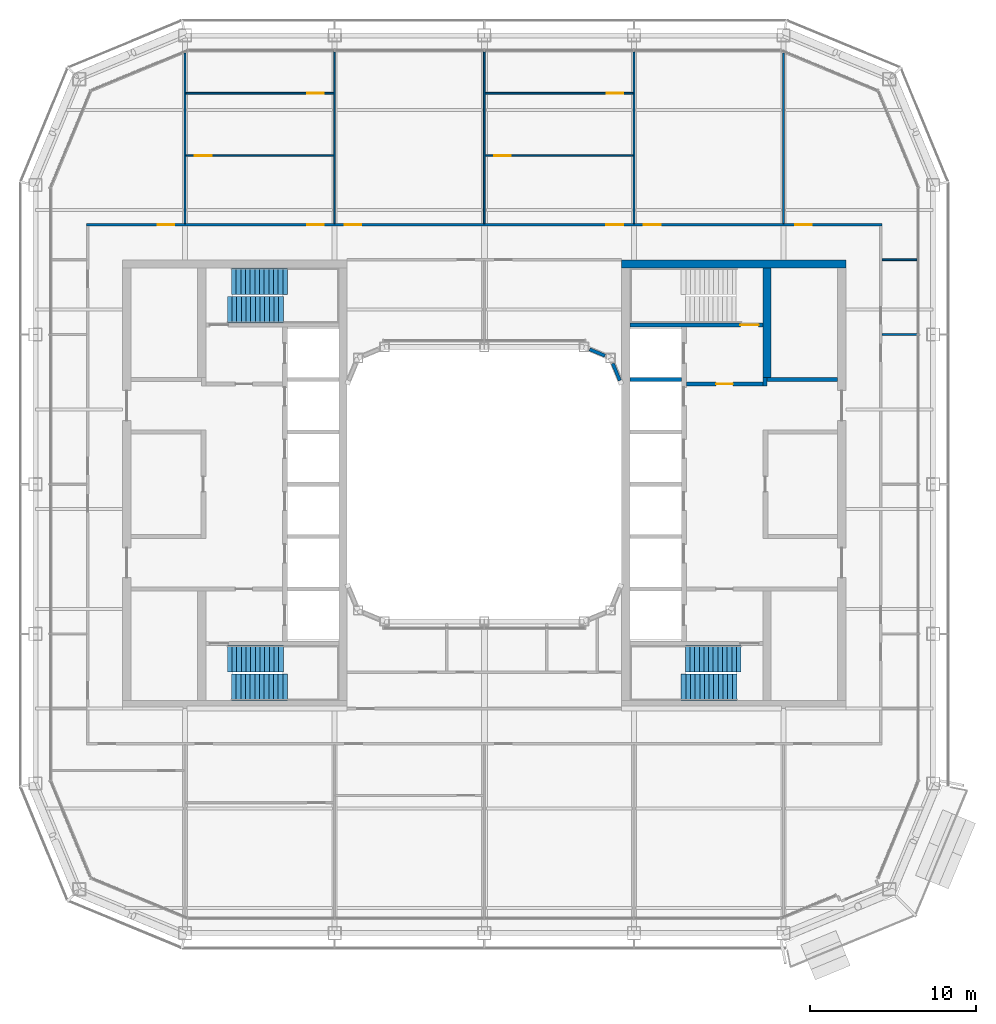
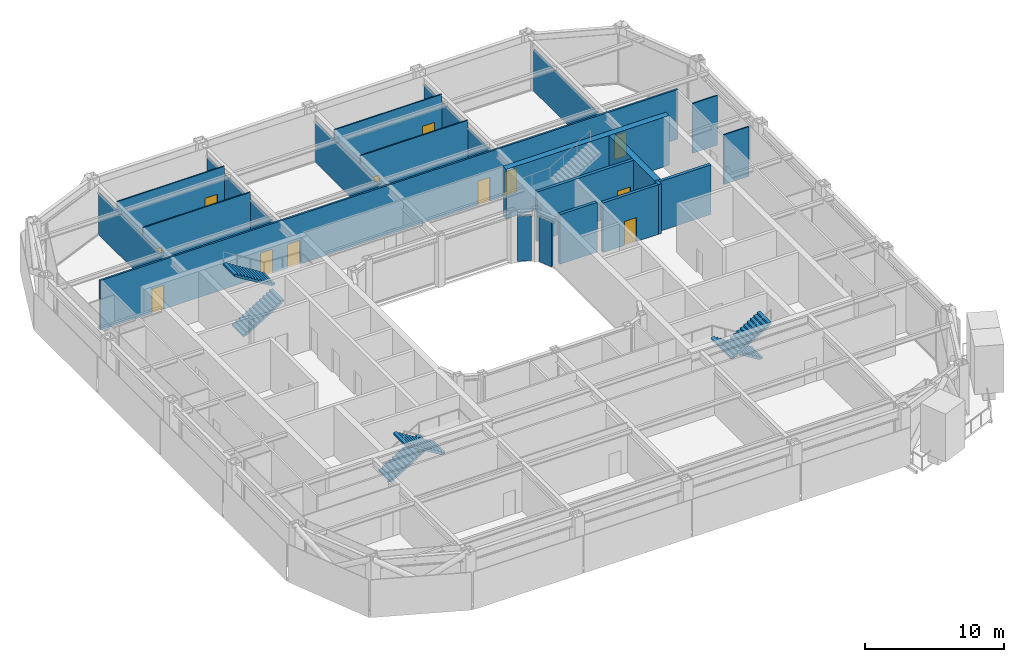
# One storey, part 15 of 23: 21 walls, 12 doors, 6 stair flights, 12 openings, 3 elements without a shape of their own.
"""IFC4 building model written with IfcOpenShell, lengths in metres."""

import ifcopenshell
import ifcopenshell.guid

model = None  # the IFC model being written
_history = None  # IfcOwnerHistory: only IFC2X3 demands one
_inside = {}  # id of a spatial element -> (the spatial element, [elements in it])
_under = {}  # id of a project, library or spatial element -> (it, [spatial elements below it])
_declared = {}  # id of a project -> (the project, [libraries it declares])
_typed = {}  # id of a type object -> (the type object, [elements of that type])
_made_of = {}  # id of a material, layer set ... -> (it, [elements and type objects made of it])


def new_model(schema):
    """Start an empty IFC model of exactly this schema.

    Asked for "IFC4X3", IfcOpenShell would pick the latest addendum, in which some entities
    have other attributes; the version numbers below select the first issue.
    IFC2X3 requires an IfcOwnerHistory on every rooted entity: one is made here for all.
    """
    global model, _history
    if schema == "IFC4X3":
        model = ifcopenshell.file(schema_version=(4, 3, 0, 0))
    else:
        model = ifcopenshell.file(schema=schema)
    _inside.clear()
    _under.clear()
    _declared.clear()
    _typed.clear()
    _made_of.clear()
    _history = None
    if model.schema == "IFC2X3":
        org = make("IfcOrganization", Name="unknown")
        user = make(
            "IfcPersonAndOrganization",
            ThePerson=make("IfcPerson", FamilyName="unknown"),
            TheOrganization=org,
        )
        app = make(
            "IfcApplication",
            ApplicationDeveloper=org,
            Version="unknown",
            ApplicationFullName="unknown",
            ApplicationIdentifier="unknown",
        )
        _history = make(
            "IfcOwnerHistory",
            OwningUser=user,
            OwningApplication=app,
            ChangeAction="ADDED",
            CreationDate=0,
        )
    return model


def make(cls, **values):
    """One entity of the class cls with the attributes given. An attribute that is None is left unset."""
    return model.create_entity(
        cls, **{name: value for name, value in values.items() if value is not None}
    )


def rooted(cls, **values):
    """An entity with a GlobalId (a new one), such as an element, a storey or a relation."""
    return make(cls, GlobalId=ifcopenshell.guid.new(), OwnerHistory=_history, **values)


def si_unit(unit_type, name, prefix=None):
    """IfcSIUnit, for example si_unit("LENGTHUNIT", "METRE", prefix="MILLI")."""
    return make("IfcSIUnit", UnitType=unit_type, Prefix=prefix, Name=name)


def assignment(units):
    """IfcUnitAssignment: the units of a project."""
    return None if units is None else make("IfcUnitAssignment", Units=units)


def point(xyz):
    """IfcCartesianPoint."""
    return None if xyz is None else make("IfcCartesianPoint", Coordinates=xyz)


def direction(xyz):
    """IfcDirection."""
    return None if xyz is None else make("IfcDirection", DirectionRatios=xyz)


def frame(location, z_axis=None, x_axis=None):
    """IfcAxis2Placement3D, a coordinate frame: its origin and axes. An axis left out is left unset."""
    return make(
        "IfcAxis2Placement3D",
        Location=point(location),
        Axis=direction(z_axis),
        RefDirection=direction(x_axis),
    )


def frame_2d(location, x_axis=None):
    """IfcAxis2Placement2D, a coordinate frame in the plane: its origin and x axis."""
    return make(
        "IfcAxis2Placement2D", Location=point(location), RefDirection=direction(x_axis)
    )


def origin():
    """The frame at (0, 0, 0) with its axes left unset."""
    return frame((0.0, 0.0, 0.0))


def place(relative_to, where):
    """IfcLocalPlacement: puts the frame where relative to a parent placement (None: the world)."""
    return make(
        "IfcLocalPlacement", PlacementRelTo=relative_to, RelativePlacement=where
    )


def context(
    kind, dimensions, precision=None, world=None, true_north=None, identifier=None
):
    """IfcGeometricRepresentationContext, for example the 3D "Model" context."""
    return make(
        "IfcGeometricRepresentationContext",
        ContextIdentifier=identifier,
        ContextType=kind,
        CoordinateSpaceDimension=dimensions,
        Precision=precision,
        WorldCoordinateSystem=world,
        TrueNorth=true_north,
    )


def subcontext(parent, identifier, kind, view, scale=None):
    """IfcGeometricRepresentationSubContext, for example "Body" below "Model"."""
    return make(
        "IfcGeometricRepresentationSubContext",
        ContextIdentifier=identifier,
        ContextType=kind,
        ParentContext=parent,
        TargetScale=scale,
        TargetView=view,
    )


def project(units=None, contexts=None):
    """IfcProject with its units and contexts."""
    return rooted(
        "IfcProject",
        Name="project",
        RepresentationContexts=contexts,
        UnitsInContext=assignment(units),
    )


def spatial(cls, under=None, at=None, **own):
    """A site, building, storey or space (cls), placed at a placement, below another one or the project."""
    s = rooted(cls, ObjectPlacement=at, **own)
    if under is not None:
        _under.setdefault(under.id(), (under, []))[1].append(s)
    return s


def polyline(points):
    """IfcPolyline through the points."""
    return make("IfcPolyline", Points=[point(p) for p in points])


def profile(cls, at=None, kind="AREA", **sizes):
    """A parametric profile (cls). Its sizes go by their IFC names, for example OverallWidth=200.0."""
    return make(cls, ProfileType=kind, Position=at, **sizes)


def rectangle(**sizes):
    """IfcRectangleProfileDef."""
    return profile("IfcRectangleProfileDef", **sizes)


def outline(outer, holes=None, kind="AREA"):
    """IfcArbitraryClosedProfileDef: a profile drawn as a closed curve; with holes, ...WithVoids."""
    if holes is None:
        return make("IfcArbitraryClosedProfileDef", ProfileType=kind, OuterCurve=outer)
    return make(
        "IfcArbitraryProfileDefWithVoids",
        ProfileType=kind,
        OuterCurve=outer,
        InnerCurves=holes,
    )


def extrude(swept, where, along, depth):
    """IfcExtrudedAreaSolid: the profile swept, set in the frame where, extruded along a direction by depth."""
    return make(
        "IfcExtrudedAreaSolid",
        SweptArea=swept,
        Position=where,
        ExtrudedDirection=direction(along),
        Depth=depth,
    )


def shape(context_of_items, identifier, shape_type, items):
    """IfcShapeRepresentation: the items that make up one representation, for example the "Body"."""
    return make(
        "IfcShapeRepresentation",
        ContextOfItems=context_of_items,
        RepresentationIdentifier=identifier,
        RepresentationType=shape_type,
        Items=items,
    )


def material(Name=None, Category=None):
    """IfcMaterial."""
    return make("IfcMaterial", Name=Name, Category=Category)


def layer(
    of_material, thickness, ventilated=None, Name=None, Category=None, Priority=None
):
    """IfcMaterialLayer: one layer of a wall or slab, of a material (None: an air gap)."""
    return make(
        "IfcMaterialLayer",
        Material=of_material,
        LayerThickness=thickness,
        IsVentilated=ventilated,
        Name=Name,
        Category=Category,
        Priority=Priority,
    )


def layer_set(layers, Name=None):
    """IfcMaterialLayerSet."""
    return make("IfcMaterialLayerSet", MaterialLayers=layers, LayerSetName=Name)


def made_of(thing, what):
    """Note that an element or type object is made of a material, layer set ...; save() writes the relation."""
    if what is not None:
        _made_of.setdefault(what.id(), (what, []))[1].append(thing)
    return thing


def type_object(cls, material=None, **own):
    """A type object (cls), such as IfcWallType, which elements share."""
    return made_of(rooted(cls, **own), material)


def element(
    cls,
    number,
    at=None,
    inside=None,
    cuts=None,
    type_object=None,
    material=None,
    context=None,
    identifier="Body",
    shape_type=None,
    held_by="IfcProductDefinitionShape",
    body=None,
    shapes=None,
    **own,
):
    """One element of the class cls, such as IfcWall. Its Tag is "e" and its number.

    at: its placement. inside: the storey or other place that contains it. cuts: it is an
    opening in that element (IfcRelVoidsElement). A single representation is given by context,
    identifier, shape_type and body (its items); several are given by shapes. held_by: the class
    of the entity that holds the representations. save() writes the other relations.
    """
    e = rooted(cls, Tag="e%d" % number, ObjectPlacement=at, **own)
    if body is not None:
        shapes = [shape(context, identifier, shape_type, body)]
    if shapes is not None:
        e.Representation = make(held_by, Representations=shapes)
    if inside is not None:
        _inside.setdefault(inside.id(), (inside, []))[1].append(e)
    if cuts is not None:
        rooted(
            "IfcRelVoidsElement", RelatingBuildingElement=cuts, RelatedOpeningElement=e
        )
    if type_object is not None:
        _typed.setdefault(type_object.id(), (type_object, []))[1].append(e)
    return made_of(e, material)


def fill(opening, filler):
    """IfcRelFillsElement: the door or window that sits in an opening."""
    return rooted(
        "IfcRelFillsElement",
        RelatingOpeningElement=opening,
        RelatedBuildingElement=filler,
    )


def aggregate(whole, parts):
    """IfcRelAggregates: a whole, such as a stair, and the parts it consists of."""
    return rooted("IfcRelAggregates", RelatingObject=whole, RelatedObjects=parts)


def save(model, path):
    """Write the relations noted so far, then the file.

    IfcRelAggregates (storeys below a building ...), IfcRelContainedInSpatialStructure (elements
    in a storey), IfcRelDefinesByType, IfcRelAssociatesMaterial and IfcRelDeclares: one each for
    every whole, place, type object, material and project.
    """
    for whole, parts in _under.values():
        aggregate(whole, parts)
    for where, things in _inside.values():
        rooted(
            "IfcRelContainedInSpatialStructure",
            RelatedElements=things,
            RelatingStructure=where,
        )
    for kind, things in _typed.values():
        rooted("IfcRelDefinesByType", RelatedObjects=things, RelatingType=kind)
    for what, things in _made_of.values():
        rooted("IfcRelAssociatesMaterial", RelatedObjects=things, RelatingMaterial=what)
    for by, libraries in _declared.values():
        rooted("IfcRelDeclares", RelatingContext=by, RelatedDefinitions=libraries)
    model.write(path)


model = new_model("IFC4")

# Units and contexts
model_context = context("Model", 3, precision=1e-05, world=origin(), true_north=direction((0.0, 1.0)))
body_context = subcontext(model_context, "Body", "Model", "MODEL_VIEW")
ifc_project = project(units=[si_unit("LENGTHUNIT", "METRE"), si_unit("AREAUNIT", "SQUARE_METRE"), si_unit("VOLUMEUNIT", "CUBIC_METRE"), si_unit("PLANEANGLEUNIT", "RADIAN"), si_unit("MASSUNIT", "GRAM", prefix="KILO")], contexts=[model_context])

# Site, building, storey
site_placement = place(None, origin())
site = spatial("IfcSite", under=ifc_project, at=site_placement, CompositionType="ELEMENT")
building_placement = place(site_placement, origin())
building = spatial("IfcBuilding", under=site, at=building_placement, Name="Siwar Civic Tower", CompositionType="ELEMENT")
storey_placement = place(building_placement, frame((0.0, 0.0, 237.699951171875)))
storey = spatial("IfcBuildingStorey", under=building, at=storey_placement, Name="L51", CompositionType="ELEMENT", Elevation=237.699951171875)

# Wall, opening, door
ifc_material_1 = material(Name="Concrete C60/75", Category="concrete")
ifc_layer_1 = layer(ifc_material_1, 0.25)
ifc_layer_set_1 = layer_set([ifc_layer_1], Name="Concrete C60/75")
wall_type_1 = type_object("IfcWallType", Name="CORE-WALL-RC250", PredefinedType="SHEAR", material=ifc_layer_set_1)
wall_1_placement = place(storey_placement, frame((12.14990234375, 6.02490234375, 0.0), z_axis=(0.0, 0.0, 1.0), x_axis=(1.0, 0.0, 0.0)))
wall_1 = element("IfcWall", 1, at=wall_1_placement, inside=storey, type_object=wall_type_1, Name="Core wall E", PredefinedType="SHEAR", context=body_context, shape_type="SweptSolid", body=[
    extrude(rectangle(XDim=4.60009765625, YDim=0.25, at=frame_2d((2.300048828125, 0.0))), origin(), (0.0, 0.0, 1.0), 4.35009765625),
])
opening_1_placement = place(wall_1_placement, frame((1.800048828125, 0.0, 0.0)))
opening_1 = element("IfcOpeningElement", 2, at=opening_1_placement, cuts=wall_1, Name="Opening L51-CE01", PredefinedType="OPENING", context=body_context, shape_type="SweptSolid", body=[
    extrude(rectangle(XDim=1.0, YDim=2.10009765625, at=frame_2d((0.5, 1.050048828125))), frame((0.0, 0.135009765625, 0.0), z_axis=(0.0, -1.0, 0.0), x_axis=(1.0, 0.0, 0.0)), (0.0, 0.0, 1.0), 0.27001953125),
])
ifc_material_2 = material(Name="Steel door leaf", Category="steel")
door_type_1 = type_object("IfcDoorType", Name="CORE-DOOR-FD30S", OperationType="SINGLE_SWING_LEFT", PredefinedType="DOOR", material=ifc_material_2)
door_1_placement = place(opening_1_placement, origin())
door_1 = element("IfcDoor", 3, at=door_1_placement, inside=storey, type_object=door_type_1, Name="Firefighting lobby door L51-CE01", OperationType="SINGLE_SWING_RIGHT", OverallHeight=2.10009765625, OverallWidth=1.0, PredefinedType="DOOR", context=body_context, shape_type="SweptSolid", body=[
    extrude(rectangle(XDim=1.0, YDim=2.10009765625, at=frame_2d((0.5, 1.050048828125))), frame((0.0, 0.02490234375, 0.0), z_axis=(0.0, -1.0, 0.0), x_axis=(1.0, 0.0, 0.0)), (0.0, 0.0, 1.0), 0.050048828125),
])
fill(opening_1, door_1)

# Walls
wall_2_placement = place(storey_placement, frame((16.875, 5.89990234375, 0.0), z_axis=(0.0, 0.0, 1.0), x_axis=(0.0, 1.0, 0.0)))
element("IfcWall", 4, at=wall_2_placement, inside=storey, type_object=wall_type_1, Name="Core wall E", PredefinedType="SHEAR", context=body_context, shape_type="SweptSolid", body=[
    extrude(rectangle(XDim=0.525146484375, YDim=0.25, at=frame_2d((0.2626953125, 0.0))), origin(), (0.0, 0.0, 1.0), 4.35009765625),
])
wall_3_placement = place(storey_placement, frame((17.0, 6.300048828125, 0.0), z_axis=(0.0, 0.0, 1.0), x_axis=(1.0, 0.0, 0.0)))
element("IfcWall", 5, at=wall_3_placement, inside=storey, type_object=wall_type_1, Name="Core wall E", PredefinedType="SHEAR", context=body_context, shape_type="SweptSolid", body=[
    extrude(rectangle(XDim=4.25, YDim=0.25, at=frame_2d((2.125, 0.0))), origin(), (0.0, 0.0, 1.0), 4.35009765625),
])
wall_4_placement = place(storey_placement, frame((8.75, 6.300048828125, 0.0), z_axis=(0.0, 0.0, 1.0), x_axis=(1.0, 0.0, 0.0)))
element("IfcWall", 6, at=wall_4_placement, inside=storey, type_object=wall_type_1, Name="Core wall E", PredefinedType="SHEAR", context=body_context, shape_type="SweptSolid", body=[
    extrude(rectangle(XDim=3.10009765625, YDim=0.25, at=frame_2d((1.550048828125, 0.0))), origin(), (0.0, 0.0, 1.0), 4.35009765625),
])

# Wall, opening, door
wall_5_placement = place(storey_placement, frame((8.75, 9.574951171875, 0.0), z_axis=(0.0, 0.0, 1.0), x_axis=(1.0, 0.0, 0.0)))
wall_5 = element("IfcWall", 7, at=wall_5_placement, inside=storey, type_object=wall_type_1, Name="Core wall E", PredefinedType="SHEAR", context=body_context, shape_type="SweptSolid", body=[
    extrude(rectangle(XDim=8.0, YDim=0.25, at=frame_2d((4.0, 0.0))), origin(), (0.0, 0.0, 1.0), 4.35009765625),
])
opening_2_placement = place(wall_5_placement, frame((6.64990234375, 0.0, 0.0)))
opening_2 = element("IfcOpeningElement", 8, at=opening_2_placement, cuts=wall_5, Name="Opening L51-CE03", PredefinedType="OPENING", context=body_context, shape_type="SweptSolid", body=[
    extrude(rectangle(XDim=1.10009765625, YDim=2.10009765625, at=frame_2d((0.550048828125, 1.050048828125))), frame((0.0, 0.135009765625, 0.0), z_axis=(0.0, -1.0, 0.0), x_axis=(1.0, 0.0, 0.0)), (0.0, 0.0, 1.0), 0.27001953125),
])
ifc_material_3 = material(Name="Steel door leaf", Category="steel")
door_type_2 = type_object("IfcDoorType", Name="CORE-DOOR-FD60S", OperationType="SINGLE_SWING_LEFT", PredefinedType="DOOR", material=ifc_material_3)
door_2_placement = place(opening_2_placement, origin())
door_2 = element("IfcDoor", 9, at=door_2_placement, inside=storey, type_object=door_type_2, Name="Stair door L51-CE03", OperationType="SINGLE_SWING_LEFT", OverallHeight=2.10009765625, OverallWidth=1.10009765625, PredefinedType="DOOR", context=body_context, shape_type="SweptSolid", body=[
    extrude(rectangle(XDim=1.10009765625, YDim=2.10009765625, at=frame_2d((0.550048828125, 1.050048828125))), frame((0.0, 0.02490234375, 0.0), z_axis=(0.0, -1.0, 0.0), x_axis=(1.0, 0.0, 0.0)), (0.0, 0.0, 1.0), 0.050048828125),
])
fill(opening_2, door_2)

# Walls
ifc_material_4 = material(Name="Concrete C60/75", Category="concrete")
ifc_layer_2 = layer(ifc_material_4, 0.5)
ifc_layer_set_2 = layer_set([ifc_layer_2], Name="Concrete C60/75")
wall_type_2 = type_object("IfcWallType", Name="CORE-WALL-RC500", PredefinedType="SHEAR", material=ifc_layer_set_2)
wall_6_placement = place(storey_placement, frame((17.0, 6.425048828125, 0.0), z_axis=(0.0, 0.0, 1.0), x_axis=(0.0, 1.0, 0.0)))
element("IfcWall", 10, at=wall_6_placement, inside=storey, type_object=wall_type_2, Name="Core wall E", PredefinedType="SHEAR", context=body_context, shape_type="SweptSolid", body=[
    extrude(rectangle(XDim=6.574951171875, YDim=0.5, at=frame_2d((3.28759765625, 0.0))), origin(), (0.0, 0.0, 1.0), 4.35009765625),
])
wall_7_placement = place(storey_placement, frame((8.25, 13.25, 0.0), z_axis=(0.0, 0.0, 1.0), x_axis=(1.0, 0.0, 0.0)))
element("IfcWall", 11, at=wall_7_placement, inside=storey, type_object=wall_type_2, Name="Core wall E", PredefinedType="SHEAR", context=body_context, shape_type="SweptSolid", body=[
    extrude(rectangle(XDim=13.5, YDim=0.5, at=frame_2d((6.75, 0.0))), origin(), (0.0, 0.0, 1.0), 4.35009765625),
])

# Wall, openings, doors
ifc_material_5 = material(Name="Gypsum board on steel studs", Category="steel")
ifc_layer_3 = layer(ifc_material_5, 0.14990234375)
ifc_layer_set_3 = layer_set([ifc_layer_3], Name="Gypsum board on steel studs")
wall_type_3 = type_object("IfcWallType", Name="CORRIDOR PARTITION 150 EI 30", PredefinedType="PARTITIONING", material=ifc_layer_set_3)
wall_8_placement = place(storey_placement, frame((-23.925048828125, 15.60009765625, 0.0), z_axis=(0.0, 0.0, 1.0), x_axis=(1.0, 0.0, 0.0)))
wall_8 = element("IfcWall", 12, at=wall_8_placement, inside=storey, type_object=wall_type_3, Name="L51/wall/P19", PredefinedType="PARTITIONING", context=body_context, shape_type="SweptSolid", body=[
    extrude(rectangle(XDim=47.85009765625, YDim=0.14990234375, at=frame_2d((23.925048828125, 0.0))), origin(), (0.0, 0.0, 1.0), 4.35009765625),
])
opening_3_placement = place(wall_8_placement, frame((13.27490234375, 0.0, 0.0)))
opening_3 = element("IfcOpeningElement", 13, at=opening_3_placement, cuts=wall_8, Name="Opening D1", PredefinedType="OPENING", context=body_context, shape_type="SweptSolid", body=[
    extrude(rectangle(XDim=1.0, YDim=2.10009765625, at=frame_2d((0.5, 1.050048828125))), frame((0.0, 0.0849609375, 0.0), z_axis=(0.0, -1.0, 0.0), x_axis=(1.0, 0.0, 0.0)), (0.0, 0.0, 1.0), 0.169921875),
])
opening_4_placement = place(wall_8_placement, frame((15.52490234375, 0.0, 0.0)))
opening_4 = element("IfcOpeningElement", 14, at=opening_4_placement, cuts=wall_8, Name="Opening D1", PredefinedType="OPENING", context=body_context, shape_type="SweptSolid", body=[
    extrude(rectangle(XDim=1.0, YDim=2.10009765625, at=frame_2d((0.5, 1.050048828125))), frame((0.0, 0.0849609375, 0.0), z_axis=(0.0, -1.0, 0.0), x_axis=(1.0, 0.0, 0.0)), (0.0, 0.0, 1.0), 0.169921875),
])
opening_5_placement = place(wall_8_placement, frame((31.27490234375, 0.0, 0.0)))
opening_5 = element("IfcOpeningElement", 15, at=opening_5_placement, cuts=wall_8, Name="Opening D1", PredefinedType="OPENING", context=body_context, shape_type="SweptSolid", body=[
    extrude(rectangle(XDim=1.0, YDim=2.10009765625, at=frame_2d((0.5, 1.050048828125))), frame((0.0, 0.0849609375, 0.0), z_axis=(0.0, -1.0, 0.0), x_axis=(1.0, 0.0, 0.0)), (0.0, 0.0, 1.0), 0.169921875),
])
opening_6_placement = place(wall_8_placement, frame((33.52490234375, 0.0, 0.0)))
opening_6 = element("IfcOpeningElement", 16, at=opening_6_placement, cuts=wall_8, Name="Opening D1", PredefinedType="OPENING", context=body_context, shape_type="SweptSolid", body=[
    extrude(rectangle(XDim=1.0, YDim=2.10009765625, at=frame_2d((0.5, 1.050048828125))), frame((0.0, 0.0849609375, 0.0), z_axis=(0.0, -1.0, 0.0), x_axis=(1.0, 0.0, 0.0)), (0.0, 0.0, 1.0), 0.169921875),
])
opening_7_placement = place(wall_8_placement, frame((4.27490234375, 0.0, 0.0)))
opening_7 = element("IfcOpeningElement", 17, at=opening_7_placement, cuts=wall_8, Name="Opening D1", PredefinedType="OPENING", context=body_context, shape_type="SweptSolid", body=[
    extrude(rectangle(XDim=1.0, YDim=2.10009765625, at=frame_2d((0.5, 1.050048828125))), frame((0.0, 0.0849609375, 0.0), z_axis=(0.0, -1.0, 0.0), x_axis=(1.0, 0.0, 0.0)), (0.0, 0.0, 1.0), 0.169921875),
])
opening_8_placement = place(wall_8_placement, frame((42.625, 0.0, 0.0)))
opening_8 = element("IfcOpeningElement", 18, at=opening_8_placement, cuts=wall_8, Name="Opening D1", PredefinedType="OPENING", context=body_context, shape_type="SweptSolid", body=[
    extrude(rectangle(XDim=1.0, YDim=2.10009765625, at=frame_2d((0.5, 1.050048828125))), frame((0.0, 0.0849609375, 0.0), z_axis=(0.0, -1.0, 0.0), x_axis=(1.0, 0.0, 0.0)), (0.0, 0.0, 1.0), 0.169921875),
])
ifc_material_6 = material(Name="Timber, painted", Category="wood")
door_type_3 = type_object("IfcDoorType", Name="DOOR 1000 X 2100 FD30", OperationType="SINGLE_SWING_LEFT", PredefinedType="DOOR", material=ifc_material_6)
door_3_placement = place(opening_3_placement, origin())
door_3 = element("IfcDoor", 19, at=door_3_placement, inside=storey, type_object=door_type_3, Name="L51-D01", OperationType="SINGLE_SWING_LEFT", OverallHeight=2.10009765625, OverallWidth=1.0, PredefinedType="DOOR", context=body_context, shape_type="SweptSolid", body=[
    extrude(rectangle(XDim=1.0, YDim=2.10009765625, at=frame_2d((0.5, 1.050048828125))), frame((0.0, 0.02490234375, 0.0), z_axis=(0.0, -1.0, 0.0), x_axis=(1.0, 0.0, 0.0)), (0.0, 0.0, 1.0), 0.050048828125),
])
fill(opening_3, door_3)
door_4_placement = place(opening_4_placement, origin())
door_4 = element("IfcDoor", 20, at=door_4_placement, inside=storey, type_object=door_type_3, Name="L51-D04", OperationType="SINGLE_SWING_RIGHT", OverallHeight=2.10009765625, OverallWidth=1.0, PredefinedType="DOOR", context=body_context, shape_type="SweptSolid", body=[
    extrude(rectangle(XDim=1.0, YDim=2.10009765625, at=frame_2d((0.5, 1.050048828125))), frame((0.0, 0.02490234375, 0.0), z_axis=(0.0, -1.0, 0.0), x_axis=(1.0, 0.0, 0.0)), (0.0, 0.0, 1.0), 0.050048828125),
])
fill(opening_4, door_4)
door_5_placement = place(opening_5_placement, origin())
door_5 = element("IfcDoor", 21, at=door_5_placement, inside=storey, type_object=door_type_3, Name="L51-D05", OperationType="SINGLE_SWING_LEFT", OverallHeight=2.10009765625, OverallWidth=1.0, PredefinedType="DOOR", context=body_context, shape_type="SweptSolid", body=[
    extrude(rectangle(XDim=1.0, YDim=2.10009765625, at=frame_2d((0.5, 1.050048828125))), frame((0.0, 0.02490234375, 0.0), z_axis=(0.0, -1.0, 0.0), x_axis=(1.0, 0.0, 0.0)), (0.0, 0.0, 1.0), 0.050048828125),
])
fill(opening_5, door_5)
door_6_placement = place(opening_6_placement, origin())
door_6 = element("IfcDoor", 22, at=door_6_placement, inside=storey, type_object=door_type_3, Name="L51-D08", OperationType="SINGLE_SWING_RIGHT", OverallHeight=2.10009765625, OverallWidth=1.0, PredefinedType="DOOR", context=body_context, shape_type="SweptSolid", body=[
    extrude(rectangle(XDim=1.0, YDim=2.10009765625, at=frame_2d((0.5, 1.050048828125))), frame((0.0, 0.02490234375, 0.0), z_axis=(0.0, -1.0, 0.0), x_axis=(1.0, 0.0, 0.0)), (0.0, 0.0, 1.0), 0.050048828125),
])
fill(opening_6, door_6)
door_7_placement = place(opening_7_placement, origin())
door_7 = element("IfcDoor", 23, at=door_7_placement, inside=storey, type_object=door_type_3, Name="L51-D15", OperationType="SINGLE_SWING_LEFT", OverallHeight=2.10009765625, OverallWidth=1.0, PredefinedType="DOOR", context=body_context, shape_type="SweptSolid", body=[
    extrude(rectangle(XDim=1.0, YDim=2.10009765625, at=frame_2d((0.5, 1.050048828125))), frame((0.0, 0.02490234375, 0.0), z_axis=(0.0, -1.0, 0.0), x_axis=(1.0, 0.0, 0.0)), (0.0, 0.0, 1.0), 0.050048828125),
])
fill(opening_7, door_7)
door_8_placement = place(opening_8_placement, origin())
door_8 = element("IfcDoor", 24, at=door_8_placement, inside=storey, type_object=door_type_3, Name="L51-D16", OperationType="SINGLE_SWING_RIGHT", OverallHeight=2.10009765625, OverallWidth=1.0, PredefinedType="DOOR", context=body_context, shape_type="SweptSolid", body=[
    extrude(rectangle(XDim=1.0, YDim=2.10009765625, at=frame_2d((0.5, 1.050048828125))), frame((0.0, 0.02490234375, 0.0), z_axis=(0.0, -1.0, 0.0), x_axis=(1.0, 0.0, 0.0)), (0.0, 0.0, 1.0), 0.050048828125),
])
fill(opening_8, door_8)

# Walls
ifc_material_7 = material(Name="Aluminium clad insulated panel", Category="aluminium")
ifc_layer_4 = layer(ifc_material_7, 0.199951171875)
ifc_layer_set_4 = layer_set([ifc_layer_4], Name="Aluminium clad insulated panel")
wall_type_4 = type_object("IfcWallType", Name="ENV-WALL-WELL", PredefinedType="STANDARD", material=ifc_layer_set_4)
wall_9_placement = place(storey_placement, frame((8.154296875, 6.23095703125, 0.0), z_axis=(0.0, 0.0, 1.0), x_axis=(-0.382635994082, 0.923899180665, 0.0)))
element("IfcWall", 25, at=wall_9_placement, inside=storey, type_object=wall_type_4, Name="Light well corner wall NE1", PredefinedType="STANDARD", context=body_context, shape_type="SweptSolid", body=[
    extrude(rectangle(XDim=1.11279296875, YDim=0.199951171875, at=frame_2d((0.556396484375, 0.0))), origin(), (0.0, 0.0, 1.0), 3.91796875),
])
wall_10_placement = place(storey_placement, frame((7.259033203125, 7.728515625, 0.0), z_axis=(0.0, 0.0, 1.0), x_axis=(-0.923859650767, 0.382731427616, 0.0)))
element("IfcWall", 26, at=wall_10_placement, inside=storey, type_object=wall_type_4, Name="Light well corner wall NE2", PredefinedType="STANDARD", context=body_context, shape_type="SweptSolid", body=[
    extrude(rectangle(XDim=1.00341796875, YDim=0.199951171875, at=frame_2d((0.501708984375, 0.0))), origin(), (0.0, 0.0, 1.0), 3.91796875),
])
ifc_material_8 = material(Name="Gypsum board on steel studs", Category="steel")
ifc_layer_5 = layer(ifc_material_8, 0.10009765625)
ifc_layer_set_5 = layer_set([ifc_layer_5], Name="Gypsum board on steel studs")
wall_type_5 = type_object("IfcWallType", Name="PARTITION 100 GYPSUM", PredefinedType="PARTITIONING", material=ifc_layer_set_5)
for number, where, z_axis, x_axis, name in (
    (27, (23.925048828125, 9.0, 0.0), (0.0, 0.0, 1.0), (1.0, 0.0, 0.0), "L51/wall/P15"),
    (28, (23.925048828125, 13.5, 0.0), (0.0, 0.0, 1.0), (1.0, 0.0, 0.0), "L51/wall/P17"),
):
    element("IfcWall", number, at=place(storey_placement, frame(where, z_axis=z_axis, x_axis=x_axis)), inside=storey, type_object=wall_type_5, Name=name, PredefinedType="PARTITIONING", context=body_context, shape_type="SweptSolid", body=[
        extrude(rectangle(XDim=2.0849609375, YDim=0.10009765625, at=frame_2d((1.04248046875, 0.0))), origin(), (0.0, 0.0, 1.0), 4.35009765625),
    ])

# Wall, opening, door
wall_11_placement = place(storey_placement, frame((-17.949951171875, 19.763916015625, 0.0), z_axis=(0.0, 0.0, 1.0), x_axis=(1.0, 0.0, 0.0)))
wall_11 = element("IfcWall", 29, at=wall_11_placement, inside=storey, type_object=wall_type_5, Name="L51/wall/P20", PredefinedType="PARTITIONING", context=body_context, shape_type="SweptSolid", body=[
    extrude(rectangle(XDim=8.89990234375, YDim=0.10009765625, at=frame_2d((4.449951171875, 0.0))), origin(), (0.0, 0.0, 1.0), 4.35009765625),
])
opening_9_placement = place(wall_11_placement, frame((0.550048828125, 0.0, 0.0)))
opening_9 = element("IfcOpeningElement", 30, at=opening_9_placement, cuts=wall_11, Name="Opening D2", PredefinedType="OPENING", context=body_context, shape_type="SweptSolid", body=[
    extrude(rectangle(XDim=1.0, YDim=2.10009765625, at=frame_2d((0.5, 1.050048828125))), frame((0.0, 0.06005859375, 0.0), z_axis=(0.0, -1.0, 0.0), x_axis=(1.0, 0.0, 0.0)), (0.0, 0.0, 1.0), 0.1201171875),
])
ifc_material_9 = material(Name="Timber, painted", Category="wood")
door_type_4 = type_object("IfcDoorType", Name="DOOR 1000 X 2100", OperationType="SINGLE_SWING_LEFT", PredefinedType="DOOR", material=ifc_material_9)
door_9_placement = place(opening_9_placement, origin())
door_9 = element("IfcDoor", 31, at=door_9_placement, inside=storey, type_object=door_type_4, Name="L51-D02", OperationType="SINGLE_SWING_RIGHT", OverallHeight=2.10009765625, OverallWidth=1.0, PredefinedType="DOOR", context=body_context, shape_type="SweptSolid", body=[
    extrude(rectangle(XDim=1.0, YDim=2.10009765625, at=frame_2d((0.5, 1.050048828125))), frame((0.0, 0.02490234375, 0.0), z_axis=(0.0, -1.0, 0.0), x_axis=(1.0, 0.0, 0.0)), (0.0, 0.0, 1.0), 0.050048828125),
])
fill(opening_9, door_9)

wall_12_placement = place(storey_placement, frame((0.050048828125, 19.763916015625, 0.0), z_axis=(0.0, 0.0, 1.0), x_axis=(1.0, 0.0, 0.0)))
wall_12 = element("IfcWall", 32, at=wall_12_placement, inside=storey, type_object=wall_type_5, Name="L51/wall/P21", PredefinedType="PARTITIONING", context=body_context, shape_type="SweptSolid", body=[
    extrude(rectangle(XDim=8.89990234375, YDim=0.10009765625, at=frame_2d((4.449951171875, 0.0))), origin(), (0.0, 0.0, 1.0), 4.35009765625),
])
opening_10_placement = place(wall_12_placement, frame((0.550048828125, 0.0, 0.0)))
opening_10 = element("IfcOpeningElement", 33, at=opening_10_placement, cuts=wall_12, Name="Opening D2", PredefinedType="OPENING", context=body_context, shape_type="SweptSolid", body=[
    extrude(rectangle(XDim=1.0, YDim=2.10009765625, at=frame_2d((0.5, 1.050048828125))), frame((0.0, 0.06005859375, 0.0), z_axis=(0.0, -1.0, 0.0), x_axis=(1.0, 0.0, 0.0)), (0.0, 0.0, 1.0), 0.1201171875),
])
door_10_placement = place(opening_10_placement, origin())
door_10 = element("IfcDoor", 34, at=door_10_placement, inside=storey, type_object=door_type_4, Name="L51-D06", OperationType="SINGLE_SWING_RIGHT", OverallHeight=2.10009765625, OverallWidth=1.0, PredefinedType="DOOR", context=body_context, shape_type="SweptSolid", body=[
    extrude(rectangle(XDim=1.0, YDim=2.10009765625, at=frame_2d((0.5, 1.050048828125))), frame((0.0, 0.02490234375, 0.0), z_axis=(0.0, -1.0, 0.0), x_axis=(1.0, 0.0, 0.0)), (0.0, 0.0, 1.0), 0.050048828125),
])
fill(opening_10, door_10)

wall_13_placement = place(storey_placement, frame((-17.949951171875, 23.511962890625, 0.0), z_axis=(0.0, 0.0, 1.0), x_axis=(1.0, 0.0, 0.0)))
wall_13 = element("IfcWall", 35, at=wall_13_placement, inside=storey, type_object=wall_type_5, Name="L51/wall/P22", PredefinedType="PARTITIONING", context=body_context, shape_type="SweptSolid", body=[
    extrude(rectangle(XDim=8.89990234375, YDim=0.10009765625, at=frame_2d((4.449951171875, 0.0))), origin(), (0.0, 0.0, 1.0), 4.35009765625),
])
opening_11_placement = place(wall_13_placement, frame((7.300048828125, 0.0, 0.0)))
opening_11 = element("IfcOpeningElement", 36, at=opening_11_placement, cuts=wall_13, Name="Opening D2", PredefinedType="OPENING", context=body_context, shape_type="SweptSolid", body=[
    extrude(rectangle(XDim=1.0, YDim=2.10009765625, at=frame_2d((0.5, 1.050048828125))), frame((0.0, 0.06005859375, 0.0), z_axis=(0.0, -1.0, 0.0), x_axis=(1.0, 0.0, 0.0)), (0.0, 0.0, 1.0), 0.1201171875),
])
door_11_placement = place(opening_11_placement, origin())
door_11 = element("IfcDoor", 37, at=door_11_placement, inside=storey, type_object=door_type_4, Name="L51-D03", OperationType="SINGLE_SWING_LEFT", OverallHeight=2.10009765625, OverallWidth=1.0, PredefinedType="DOOR", context=body_context, shape_type="SweptSolid", body=[
    extrude(rectangle(XDim=1.0, YDim=2.10009765625, at=frame_2d((0.5, 1.050048828125))), frame((0.0, 0.02490234375, 0.0), z_axis=(0.0, -1.0, 0.0), x_axis=(1.0, 0.0, 0.0)), (0.0, 0.0, 1.0), 0.050048828125),
])
fill(opening_11, door_11)

wall_14_placement = place(storey_placement, frame((0.050048828125, 23.511962890625, 0.0), z_axis=(0.0, 0.0, 1.0), x_axis=(1.0, 0.0, 0.0)))
wall_14 = element("IfcWall", 38, at=wall_14_placement, inside=storey, type_object=wall_type_5, Name="L51/wall/P23", PredefinedType="PARTITIONING", context=body_context, shape_type="SweptSolid", body=[
    extrude(rectangle(XDim=8.89990234375, YDim=0.10009765625, at=frame_2d((4.449951171875, 0.0))), origin(), (0.0, 0.0, 1.0), 4.35009765625),
])
opening_12_placement = place(wall_14_placement, frame((7.300048828125, 0.0, 0.0)))
opening_12 = element("IfcOpeningElement", 39, at=opening_12_placement, cuts=wall_14, Name="Opening D2", PredefinedType="OPENING", context=body_context, shape_type="SweptSolid", body=[
    extrude(rectangle(XDim=1.0, YDim=2.10009765625, at=frame_2d((0.5, 1.050048828125))), frame((0.0, 0.06005859375, 0.0), z_axis=(0.0, -1.0, 0.0), x_axis=(1.0, 0.0, 0.0)), (0.0, 0.0, 1.0), 0.1201171875),
])
door_12_placement = place(opening_12_placement, origin())
door_12 = element("IfcDoor", 40, at=door_12_placement, inside=storey, type_object=door_type_4, Name="L51-D07", OperationType="SINGLE_SWING_LEFT", OverallHeight=2.10009765625, OverallWidth=1.0, PredefinedType="DOOR", context=body_context, shape_type="SweptSolid", body=[
    extrude(rectangle(XDim=1.0, YDim=2.10009765625, at=frame_2d((0.5, 1.050048828125))), frame((0.0, 0.02490234375, 0.0), z_axis=(0.0, -1.0, 0.0), x_axis=(1.0, 0.0, 0.0)), (0.0, 0.0, 1.0), 0.050048828125),
])
fill(opening_12, door_12)

# Walls
wall_15_placement = place(storey_placement, frame((-18.0, 15.675048828125, 0.0), z_axis=(0.0, 0.0, 1.0), x_axis=(0.0, 1.0, 0.0)))
element("IfcWall", 41, at=wall_15_placement, inside=storey, type_object=wall_type_5, Name="L51/wall/P26", PredefinedType="PARTITIONING", context=body_context, shape_type="SweptSolid", body=[
    extrude(rectangle(XDim=10.2529296875, YDim=0.10009765625, at=frame_2d((5.12646484375, 0.0))), origin(), (0.0, 0.0, 1.0), 3.650146484375),
])
wall_16_placement = place(storey_placement, frame((-9.0, 15.675048828125, 0.0), z_axis=(0.0, 0.0, 1.0), x_axis=(0.0, 1.0, 0.0)))
element("IfcWall", 42, at=wall_16_placement, inside=storey, type_object=wall_type_5, Name="L51/wall/P28", PredefinedType="PARTITIONING", context=body_context, shape_type="SweptSolid", body=[
    extrude(rectangle(XDim=10.3349609375, YDim=0.10009765625, at=frame_2d((5.16748046875, 0.0))), origin(), (0.0, 0.0, 1.0), 3.650146484375),
])
wall_17_placement = place(storey_placement, frame((0.0, 15.675048828125, 0.0), z_axis=(0.0, 0.0, 1.0), x_axis=(0.0, 1.0, 0.0)))
element("IfcWall", 43, at=wall_17_placement, inside=storey, type_object=wall_type_5, Name="L51/wall/P32", PredefinedType="PARTITIONING", context=body_context, shape_type="SweptSolid", body=[
    extrude(rectangle(XDim=10.3349609375, YDim=0.10009765625, at=frame_2d((5.16748046875, 0.0))), origin(), (0.0, 0.0, 1.0), 3.550048828125),
])
wall_18_placement = place(storey_placement, frame((9.0, 15.675048828125, 0.0), z_axis=(0.0, 0.0, 1.0), x_axis=(0.0, 1.0, 0.0)))
element("IfcWall", 44, at=wall_18_placement, inside=storey, type_object=wall_type_5, Name="L51/wall/P36", PredefinedType="PARTITIONING", context=body_context, shape_type="SweptSolid", body=[
    extrude(rectangle(XDim=10.3349609375, YDim=0.10009765625, at=frame_2d((5.16748046875, 0.0))), origin(), (0.0, 0.0, 1.0), 3.650146484375),
])
wall_19_placement = place(storey_placement, frame((18.0, 15.675048828125, 0.0), z_axis=(0.0, 0.0, 1.0), x_axis=(0.0, 1.0, 0.0)))
element("IfcWall", 45, at=wall_19_placement, inside=storey, type_object=wall_type_5, Name="L51/wall/P38", PredefinedType="PARTITIONING", context=body_context, shape_type="SweptSolid", body=[
    extrude(rectangle(XDim=10.2529296875, YDim=0.10009765625, at=frame_2d((5.12646484375, 0.0))), origin(), (0.0, 0.0, 1.0), 3.650146484375),
])

# Stair, stair flights
ifc_material_10 = material(Name="Concrete C40/50", Category="concrete")
stair_type = type_object("IfcStairType", Name="CORE-STAIR", PredefinedType="TWO_STRAIGHT_RUN_STAIR", material=ifc_material_10)
stair_1_placement = place(storey_placement, origin())
stair_1 = element("IfcStair", 46, at=stair_1_placement, inside=storey, type_object=stair_type, Name="Exit stair ST1", PredefinedType="TWO_STRAIGHT_RUN_STAIR")
ifc_material_11 = material(Name="Concrete C40/50", Category="concrete")
stair_flight_type = type_object("IfcStairFlightType", Name="CORE-STAIR-FLIGHT", PredefinedType="STRAIGHT", material=ifc_material_11)
stair_flight_1_placement = place(storey_placement, frame((-15.449951171875, 10.5, 0.0), z_axis=(0.0, 0.0, 1.0), x_axis=(1.0, 0.0, 0.0)))
stair_flight_1 = element("IfcStairFlight", 47, at=stair_flight_1_placement, type_object=stair_flight_type, Name="ST1 flight 1", NumberOfRisers=13, NumberOfTreads=12, PredefinedType="STRAIGHT", RiserHeight=0.173076923, TreadLength=0.28, context=body_context, shape_type="SweptSolid", body=[
    extrude(outline(polyline([(0.0, 0.0), (0.0, 0.173095703125), (0.280029296875, 0.173095703125), (0.280029296875, 0.34619140625), (0.56005859375, 0.34619140625), (0.56005859375, 0.519287109375), (0.840087890625, 0.519287109375), (0.840087890625, 0.6923828125), (1.1201171875, 0.6923828125), (1.1201171875, 0.865478515625), (1.39990234375, 0.865478515625), (1.39990234375, 1.03857421875), (1.679931640625, 1.03857421875), (1.679931640625, 1.21142578125), (1.9599609375, 1.21142578125), (1.9599609375, 1.384521484375), (2.239990234375, 1.384521484375), (2.239990234375, 1.5576171875), (2.52001953125, 1.5576171875), (2.52001953125, 1.730712890625), (2.800048828125, 1.730712890625), (2.800048828125, 1.90380859375), (3.080078125, 1.90380859375), (3.080078125, 2.076904296875), (3.360107421875, 2.076904296875), (3.360107421875, 2.25), (3.360107421875, 1.900634765625), (0.28515625, 0.0), (0.0, 0.0)])), frame((0.0, 0.800048828125, 0.0), z_axis=(0.0, -1.0, 0.0), x_axis=(1.0, 0.0, 0.0)), (0.0, 0.0, 1.0), 1.60009765625),
])
stair_flight_2_placement = place(storey_placement, frame((-11.840087890625, 12.199951171875, 2.25), z_axis=(0.0, 0.0, 1.0), x_axis=(-1.0, 0.0, 0.0)))
stair_flight_2 = element("IfcStairFlight", 48, at=stair_flight_2_placement, type_object=stair_flight_type, Name="ST1 flight 2", NumberOfRisers=13, NumberOfTreads=12, PredefinedType="STRAIGHT", RiserHeight=0.173076923, TreadLength=0.28, context=body_context, shape_type="SweptSolid", body=[
    extrude(outline(polyline([(0.0, 0.0), (0.0, 0.173095703125), (0.280029296875, 0.173095703125), (0.280029296875, 0.34619140625), (0.56005859375, 0.34619140625), (0.56005859375, 0.519287109375), (0.840087890625, 0.519287109375), (0.840087890625, 0.6923828125), (1.1201171875, 0.6923828125), (1.1201171875, 0.865478515625), (1.39990234375, 0.865478515625), (1.39990234375, 1.03857421875), (1.679931640625, 1.03857421875), (1.679931640625, 1.21142578125), (1.9599609375, 1.21142578125), (1.9599609375, 1.384521484375), (2.239990234375, 1.384521484375), (2.239990234375, 1.5576171875), (2.52001953125, 1.5576171875), (2.52001953125, 1.730712890625), (2.800048828125, 1.730712890625), (2.800048828125, 1.90380859375), (3.080078125, 1.90380859375), (3.080078125, 2.076904296875), (3.360107421875, 2.076904296875), (3.360107421875, 2.25), (3.360107421875, 1.900634765625), (0.28515625, 0.0), (0.0, 0.0)])), frame((0.0, 0.800048828125, 0.0), z_axis=(0.0, -1.0, 0.0), x_axis=(1.0, 0.0, 0.0)), (0.0, 0.0, 1.0), 1.60009765625),
])
aggregate(stair_1, [stair_flight_1, stair_flight_2])

stair_2_placement = place(storey_placement, origin())
stair_2 = element("IfcStair", 49, at=stair_2_placement, inside=storey, type_object=stair_type, Name="Exit stair ST2", PredefinedType="TWO_STRAIGHT_RUN_STAIR")
stair_flight_3_placement = place(storey_placement, frame((-15.449951171875, -10.5, 0.0), z_axis=(0.0, 0.0, 1.0), x_axis=(1.0, 0.0, 0.0)))
stair_flight_3 = element("IfcStairFlight", 50, at=stair_flight_3_placement, type_object=stair_flight_type, Name="ST2 flight 1", NumberOfRisers=13, NumberOfTreads=12, PredefinedType="STRAIGHT", RiserHeight=0.173076923, TreadLength=0.28, context=body_context, shape_type="SweptSolid", body=[
    extrude(outline(polyline([(0.0, 0.0), (0.0, 0.173095703125), (0.280029296875, 0.173095703125), (0.280029296875, 0.34619140625), (0.56005859375, 0.34619140625), (0.56005859375, 0.519287109375), (0.840087890625, 0.519287109375), (0.840087890625, 0.6923828125), (1.1201171875, 0.6923828125), (1.1201171875, 0.865478515625), (1.39990234375, 0.865478515625), (1.39990234375, 1.03857421875), (1.679931640625, 1.03857421875), (1.679931640625, 1.21142578125), (1.9599609375, 1.21142578125), (1.9599609375, 1.384521484375), (2.239990234375, 1.384521484375), (2.239990234375, 1.5576171875), (2.52001953125, 1.5576171875), (2.52001953125, 1.730712890625), (2.800048828125, 1.730712890625), (2.800048828125, 1.90380859375), (3.080078125, 1.90380859375), (3.080078125, 2.076904296875), (3.360107421875, 2.076904296875), (3.360107421875, 2.25), (3.360107421875, 1.900634765625), (0.28515625, 0.0), (0.0, 0.0)])), frame((0.0, 0.800048828125, 0.0), z_axis=(0.0, -1.0, 0.0), x_axis=(1.0, 0.0, 0.0)), (0.0, 0.0, 1.0), 1.60009765625),
])
stair_flight_4_placement = place(storey_placement, frame((-11.840087890625, -12.199951171875, 2.25), z_axis=(0.0, 0.0, 1.0), x_axis=(-1.0, 0.0, 0.0)))
stair_flight_4 = element("IfcStairFlight", 51, at=stair_flight_4_placement, type_object=stair_flight_type, Name="ST2 flight 2", NumberOfRisers=13, NumberOfTreads=12, PredefinedType="STRAIGHT", RiserHeight=0.173076923, TreadLength=0.28, context=body_context, shape_type="SweptSolid", body=[
    extrude(outline(polyline([(0.0, 0.0), (0.0, 0.173095703125), (0.280029296875, 0.173095703125), (0.280029296875, 0.34619140625), (0.56005859375, 0.34619140625), (0.56005859375, 0.519287109375), (0.840087890625, 0.519287109375), (0.840087890625, 0.6923828125), (1.1201171875, 0.6923828125), (1.1201171875, 0.865478515625), (1.39990234375, 0.865478515625), (1.39990234375, 1.03857421875), (1.679931640625, 1.03857421875), (1.679931640625, 1.21142578125), (1.9599609375, 1.21142578125), (1.9599609375, 1.384521484375), (2.239990234375, 1.384521484375), (2.239990234375, 1.5576171875), (2.52001953125, 1.5576171875), (2.52001953125, 1.730712890625), (2.800048828125, 1.730712890625), (2.800048828125, 1.90380859375), (3.080078125, 1.90380859375), (3.080078125, 2.076904296875), (3.360107421875, 2.076904296875), (3.360107421875, 2.25), (3.360107421875, 1.900634765625), (0.28515625, 0.0), (0.0, 0.0)])), frame((0.0, 0.800048828125, 0.0), z_axis=(0.0, -1.0, 0.0), x_axis=(1.0, 0.0, 0.0)), (0.0, 0.0, 1.0), 1.60009765625),
])
aggregate(stair_2, [stair_flight_3, stair_flight_4])

stair_3_placement = place(storey_placement, origin())
stair_3 = element("IfcStair", 52, at=stair_3_placement, inside=storey, type_object=stair_type, Name="Exit stair ST4", PredefinedType="TWO_STRAIGHT_RUN_STAIR")
stair_flight_5_placement = place(storey_placement, frame((15.449951171875, -10.5, 0.0), z_axis=(0.0, 0.0, 1.0), x_axis=(-1.0, 0.0, 0.0)))
stair_flight_5 = element("IfcStairFlight", 53, at=stair_flight_5_placement, type_object=stair_flight_type, Name="ST4 flight 1", NumberOfRisers=13, NumberOfTreads=12, PredefinedType="STRAIGHT", RiserHeight=0.173076923, TreadLength=0.28, context=body_context, shape_type="SweptSolid", body=[
    extrude(outline(polyline([(0.0, 0.0), (0.0, 0.173095703125), (0.280029296875, 0.173095703125), (0.280029296875, 0.34619140625), (0.56005859375, 0.34619140625), (0.56005859375, 0.519287109375), (0.840087890625, 0.519287109375), (0.840087890625, 0.6923828125), (1.1201171875, 0.6923828125), (1.1201171875, 0.865478515625), (1.39990234375, 0.865478515625), (1.39990234375, 1.03857421875), (1.679931640625, 1.03857421875), (1.679931640625, 1.21142578125), (1.9599609375, 1.21142578125), (1.9599609375, 1.384521484375), (2.239990234375, 1.384521484375), (2.239990234375, 1.5576171875), (2.52001953125, 1.5576171875), (2.52001953125, 1.730712890625), (2.800048828125, 1.730712890625), (2.800048828125, 1.90380859375), (3.080078125, 1.90380859375), (3.080078125, 2.076904296875), (3.360107421875, 2.076904296875), (3.360107421875, 2.25), (3.360107421875, 1.900634765625), (0.28515625, 0.0), (0.0, 0.0)])), frame((0.0, 0.800048828125, 0.0), z_axis=(0.0, -1.0, 0.0), x_axis=(1.0, 0.0, 0.0)), (0.0, 0.0, 1.0), 1.60009765625),
])
stair_flight_6_placement = place(storey_placement, frame((11.840087890625, -12.199951171875, 2.25), z_axis=(0.0, 0.0, 1.0), x_axis=(1.0, 0.0, 0.0)))
stair_flight_6 = element("IfcStairFlight", 54, at=stair_flight_6_placement, type_object=stair_flight_type, Name="ST4 flight 2", NumberOfRisers=13, NumberOfTreads=12, PredefinedType="STRAIGHT", RiserHeight=0.173076923, TreadLength=0.28, context=body_context, shape_type="SweptSolid", body=[
    extrude(outline(polyline([(0.0, 0.0), (0.0, 0.173095703125), (0.280029296875, 0.173095703125), (0.280029296875, 0.34619140625), (0.56005859375, 0.34619140625), (0.56005859375, 0.519287109375), (0.840087890625, 0.519287109375), (0.840087890625, 0.6923828125), (1.1201171875, 0.6923828125), (1.1201171875, 0.865478515625), (1.39990234375, 0.865478515625), (1.39990234375, 1.03857421875), (1.679931640625, 1.03857421875), (1.679931640625, 1.21142578125), (1.9599609375, 1.21142578125), (1.9599609375, 1.384521484375), (2.239990234375, 1.384521484375), (2.239990234375, 1.5576171875), (2.52001953125, 1.5576171875), (2.52001953125, 1.730712890625), (2.800048828125, 1.730712890625), (2.800048828125, 1.90380859375), (3.080078125, 1.90380859375), (3.080078125, 2.076904296875), (3.360107421875, 2.076904296875), (3.360107421875, 2.25), (3.360107421875, 1.900634765625), (0.28515625, 0.0), (0.0, 0.0)])), frame((0.0, 0.800048828125, 0.0), z_axis=(0.0, -1.0, 0.0), x_axis=(1.0, 0.0, 0.0)), (0.0, 0.0, 1.0), 1.60009765625),
])
aggregate(stair_3, [stair_flight_5, stair_flight_6])

save(model, "model.ifc")
